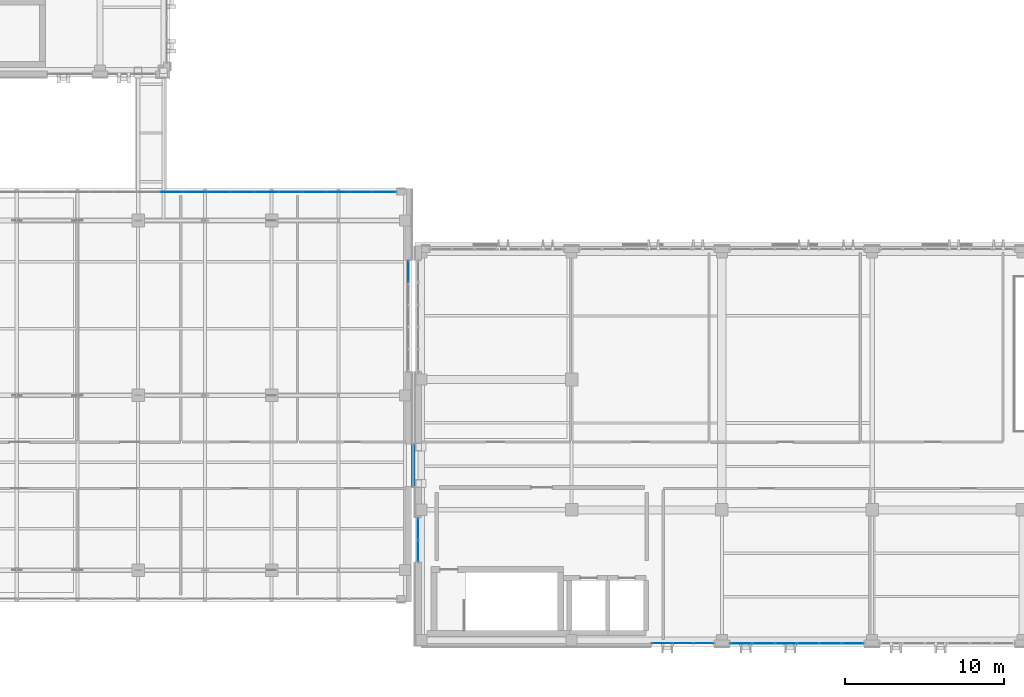
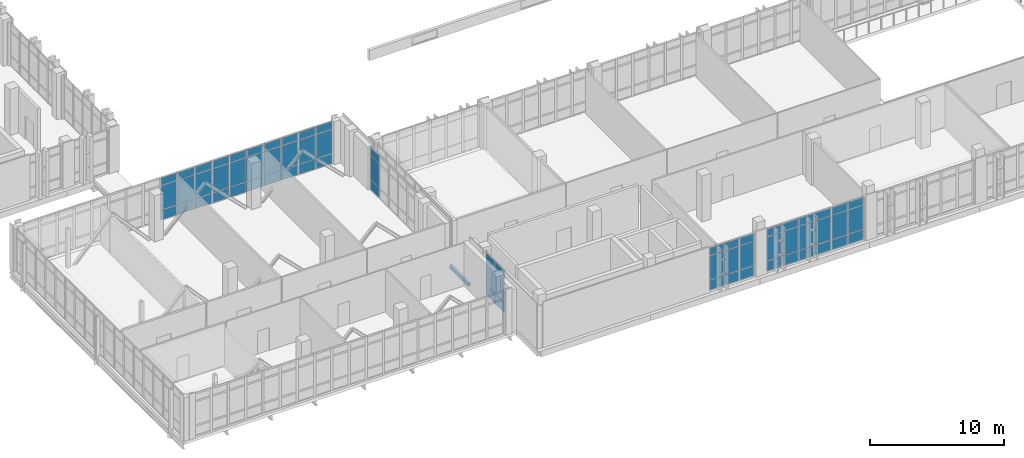
# One storey, part 112 of 158: 66 plates, 1 slab, 5 elements without a shape of their own.
"""IFC4 building model written with IfcOpenShell, lengths in metres."""

from ifc_helpers import new_model, si_unit, direction, frame, origin, origin_2d, place, context, subcontext, project, spatial, polyline, rectangle, outline, extrude, material, layer, layer_set, type_object, element, aggregate, save


model = new_model("IFC4")

# Units and contexts
model_context = context("Model", 3, precision=1e-05, world=origin(), true_north=direction((0.0, 1.0)))
body_context = subcontext(model_context, "Body", "Model", "MODEL_VIEW")
ifc_project = project(units=[si_unit("LENGTHUNIT", "METRE"), si_unit("AREAUNIT", "SQUARE_METRE"), si_unit("VOLUMEUNIT", "CUBIC_METRE"), si_unit("PLANEANGLEUNIT", "RADIAN"), si_unit("MASSUNIT", "GRAM", prefix="KILO")], contexts=[model_context])

# Site, building, storey
site_placement = place(None, origin())
site = spatial("IfcSite", under=ifc_project, at=site_placement, CompositionType="ELEMENT")
building_placement = place(site_placement, origin())
building = spatial("IfcBuilding", under=site, at=building_placement, Name="Qalavern Law Courts", CompositionType="ELEMENT")
storey_placement = place(building_placement, frame((0.0, 0.0, 18.60009765625)))
storey = spatial("IfcBuildingStorey", under=building, at=storey_placement, Name="L04", CompositionType="ELEMENT", Elevation=18.60009765625)

# Curtain wall, plates
ifc_material_1 = material(Name="Anodised aluminium and insulated glazing", Category="aluminium")
ifc_layer_1 = layer(ifc_material_1, 0.199951171875)
ifc_layer_set_1 = layer_set([ifc_layer_1], Name="Anodised aluminium and insulated glazing")
curtain_wall_type_1 = type_object("IfcCurtainWallType", Name="ENV-CW-FOYER", PredefinedType="USERDEFINED", material=ifc_layer_set_1)
curtain_wall_1_placement = place(storey_placement, origin())
curtain_wall_1 = element("IfcCurtainWall", 1, at=curtain_wall_1_placement, inside=storey, type_object=curtain_wall_type_1, Name="V1 unitised curtain wall L04 north 1", ObjectType="UNITISED CURTAIN WALL", PredefinedType="USERDEFINED")
ifc_material_2 = material(Name="Insulated low-E acoustic glazing", Category="glass")
ifc_layer_2 = layer(ifc_material_2, 0.02392578125)
ifc_layer_set_2 = layer_set([ifc_layer_2], Name="Insulated low-E acoustic glazing")
plate_type_1 = type_object("IfcPlateType", Name="ENV-CWP-24", PredefinedType="CURTAIN_PANEL", material=ifc_layer_set_2)
plate_1_placement = place(storey_placement, frame((32.299560546875, 33.800048828125, 0.0478515625), z_axis=(0.0, 0.0, 1.0), x_axis=(-1.0, 0.0, 0.0)))
plate_1 = element("IfcPlate", 2, at=plate_1_placement, type_object=plate_type_1, Name="CW-01 panel 1.1", PredefinedType="CURTAIN_PANEL", context=body_context, shape_type="SweptSolid", body=[
    extrude(rectangle(XDim=1.41455078125, YDim=0.02392578125, at=origin_2d()), origin(), (0.0, 0.0, 1.0), 0.8779296875),
])
plate_2_placement = place(storey_placement, frame((32.299560546875, 33.800048828125, 0.97412109375), z_axis=(0.0, 0.0, 1.0), x_axis=(-1.0, 0.0, 0.0)))
plate_2 = element("IfcPlate", 3, at=plate_2_placement, type_object=plate_type_1, Name="CW-01 panel 1.2", PredefinedType="CURTAIN_PANEL", context=body_context, shape_type="SweptSolid", body=[
    extrude(rectangle(XDim=1.41455078125, YDim=0.02392578125, at=origin_2d()), origin(), (0.0, 0.0, 1.0), 2.177001953125),
])
plate_3_placement = place(storey_placement, frame((32.299560546875, 33.800048828125, 3.19873046875), z_axis=(0.0, 0.0, 1.0), x_axis=(-1.0, 0.0, 0.0)))
plate_3 = element("IfcPlate", 4, at=plate_3_placement, type_object=plate_type_1, Name="CW-01 panel 1.3", PredefinedType="CURTAIN_PANEL", context=body_context, shape_type="SweptSolid", body=[
    extrude(rectangle(XDim=1.41455078125, YDim=0.02392578125, at=origin_2d()), origin(), (0.0, 0.0, 1.0), 0.677978515625),
])
plate_4_placement = place(storey_placement, frame((30.824951171875, 33.800048828125, 0.0478515625), z_axis=(0.0, 0.0, 1.0), x_axis=(-1.0, 0.0, 0.0)))
plate_4 = element("IfcPlate", 5, at=plate_4_placement, type_object=plate_type_1, Name="CW-01 panel 2.1", PredefinedType="CURTAIN_PANEL", context=body_context, shape_type="SweptSolid", body=[
    extrude(rectangle(XDim=1.438720703125, YDim=0.02392578125, at=origin_2d()), origin(), (0.0, 0.0, 1.0), 0.8779296875),
])
plate_5_placement = place(storey_placement, frame((30.824951171875, 33.800048828125, 0.97412109375), z_axis=(0.0, 0.0, 1.0), x_axis=(-1.0, 0.0, 0.0)))
plate_5 = element("IfcPlate", 6, at=plate_5_placement, type_object=plate_type_1, Name="CW-01 panel 2.2", PredefinedType="CURTAIN_PANEL", context=body_context, shape_type="SweptSolid", body=[
    extrude(rectangle(XDim=1.438720703125, YDim=0.02392578125, at=origin_2d()), origin(), (0.0, 0.0, 1.0), 2.177001953125),
])
plate_6_placement = place(storey_placement, frame((30.824951171875, 33.800048828125, 3.19873046875), z_axis=(0.0, 0.0, 1.0), x_axis=(-1.0, 0.0, 0.0)))
plate_6 = element("IfcPlate", 7, at=plate_6_placement, type_object=plate_type_1, Name="CW-01 panel 2.3", PredefinedType="CURTAIN_PANEL", context=body_context, shape_type="SweptSolid", body=[
    extrude(rectangle(XDim=1.438720703125, YDim=0.02392578125, at=origin_2d()), origin(), (0.0, 0.0, 1.0), 0.677978515625),
])
plate_7_placement = place(storey_placement, frame((29.33837890625, 33.800048828125, 0.0478515625), z_axis=(0.0, 0.0, 1.0), x_axis=(-1.0, 0.0, 0.0)))
plate_7 = element("IfcPlate", 8, at=plate_7_placement, type_object=plate_type_1, Name="CW-01 panel 3.1", PredefinedType="CURTAIN_PANEL", context=body_context, shape_type="SweptSolid", body=[
    extrude(rectangle(XDim=1.438720703125, YDim=0.02392578125, at=origin_2d()), origin(), (0.0, 0.0, 1.0), 0.8779296875),
])
plate_8_placement = place(storey_placement, frame((29.33837890625, 33.800048828125, 0.97412109375), z_axis=(0.0, 0.0, 1.0), x_axis=(-1.0, 0.0, 0.0)))
plate_8 = element("IfcPlate", 9, at=plate_8_placement, type_object=plate_type_1, Name="CW-01 panel 3.2", PredefinedType="CURTAIN_PANEL", context=body_context, shape_type="SweptSolid", body=[
    extrude(rectangle(XDim=1.438720703125, YDim=0.02392578125, at=origin_2d()), origin(), (0.0, 0.0, 1.0), 2.177001953125),
])
plate_9_placement = place(storey_placement, frame((29.33837890625, 33.800048828125, 3.19873046875), z_axis=(0.0, 0.0, 1.0), x_axis=(-1.0, 0.0, 0.0)))
plate_9 = element("IfcPlate", 10, at=plate_9_placement, type_object=plate_type_1, Name="CW-01 panel 3.3", PredefinedType="CURTAIN_PANEL", context=body_context, shape_type="SweptSolid", body=[
    extrude(rectangle(XDim=1.438720703125, YDim=0.02392578125, at=origin_2d()), origin(), (0.0, 0.0, 1.0), 0.677978515625),
])
plate_10_placement = place(storey_placement, frame((27.8515625, 33.800048828125, 0.0478515625), z_axis=(0.0, 0.0, 1.0), x_axis=(-1.0, 0.0, 0.0)))
plate_10 = element("IfcPlate", 11, at=plate_10_placement, type_object=plate_type_1, Name="CW-01 panel 4.1", PredefinedType="CURTAIN_PANEL", context=body_context, shape_type="SweptSolid", body=[
    extrude(rectangle(XDim=1.438720703125, YDim=0.02392578125, at=origin_2d()), origin(), (0.0, 0.0, 1.0), 0.8779296875),
])
plate_11_placement = place(storey_placement, frame((27.8515625, 33.800048828125, 0.97412109375), z_axis=(0.0, 0.0, 1.0), x_axis=(-1.0, 0.0, 0.0)))
plate_11 = element("IfcPlate", 12, at=plate_11_placement, type_object=plate_type_1, Name="CW-01 panel 4.2", PredefinedType="CURTAIN_PANEL", context=body_context, shape_type="SweptSolid", body=[
    extrude(rectangle(XDim=1.438720703125, YDim=0.02392578125, at=origin_2d()), origin(), (0.0, 0.0, 1.0), 2.177001953125),
])
plate_12_placement = place(storey_placement, frame((27.8515625, 33.800048828125, 3.19873046875), z_axis=(0.0, 0.0, 1.0), x_axis=(-1.0, 0.0, 0.0)))
plate_12 = element("IfcPlate", 13, at=plate_12_placement, type_object=plate_type_1, Name="CW-01 panel 4.3", PredefinedType="CURTAIN_PANEL", context=body_context, shape_type="SweptSolid", body=[
    extrude(rectangle(XDim=1.438720703125, YDim=0.02392578125, at=origin_2d()), origin(), (0.0, 0.0, 1.0), 0.677978515625),
])
plate_13_placement = place(storey_placement, frame((26.364990234375, 33.800048828125, 0.0478515625), z_axis=(0.0, 0.0, 1.0), x_axis=(-1.0, 0.0, 0.0)))
plate_13 = element("IfcPlate", 14, at=plate_13_placement, type_object=plate_type_1, Name="CW-01 panel 5.1", PredefinedType="CURTAIN_PANEL", context=body_context, shape_type="SweptSolid", body=[
    extrude(rectangle(XDim=1.438720703125, YDim=0.02392578125, at=origin_2d()), origin(), (0.0, 0.0, 1.0), 0.8779296875),
])
plate_14_placement = place(storey_placement, frame((26.364990234375, 33.800048828125, 0.97412109375), z_axis=(0.0, 0.0, 1.0), x_axis=(-1.0, 0.0, 0.0)))
plate_14 = element("IfcPlate", 15, at=plate_14_placement, type_object=plate_type_1, Name="CW-01 panel 5.2", PredefinedType="CURTAIN_PANEL", context=body_context, shape_type="SweptSolid", body=[
    extrude(rectangle(XDim=1.438720703125, YDim=0.02392578125, at=origin_2d()), origin(), (0.0, 0.0, 1.0), 2.177001953125),
])
plate_15_placement = place(storey_placement, frame((26.364990234375, 33.800048828125, 3.19873046875), z_axis=(0.0, 0.0, 1.0), x_axis=(-1.0, 0.0, 0.0)))
plate_15 = element("IfcPlate", 16, at=plate_15_placement, type_object=plate_type_1, Name="CW-01 panel 5.3", PredefinedType="CURTAIN_PANEL", context=body_context, shape_type="SweptSolid", body=[
    extrude(rectangle(XDim=1.438720703125, YDim=0.02392578125, at=origin_2d()), origin(), (0.0, 0.0, 1.0), 0.677978515625),
])
plate_16_placement = place(storey_placement, frame((24.87841796875, 33.800048828125, 0.0478515625), z_axis=(0.0, 0.0, 1.0), x_axis=(-1.0, 0.0, 0.0)))
plate_16 = element("IfcPlate", 17, at=plate_16_placement, type_object=plate_type_1, Name="CW-01 panel 6.1", PredefinedType="CURTAIN_PANEL", context=body_context, shape_type="SweptSolid", body=[
    extrude(rectangle(XDim=1.438720703125, YDim=0.02392578125, at=origin_2d()), origin(), (0.0, 0.0, 1.0), 0.8779296875),
])
plate_17_placement = place(storey_placement, frame((24.87841796875, 33.800048828125, 0.97412109375), z_axis=(0.0, 0.0, 1.0), x_axis=(-1.0, 0.0, 0.0)))
plate_17 = element("IfcPlate", 18, at=plate_17_placement, type_object=plate_type_1, Name="CW-01 panel 6.2", PredefinedType="CURTAIN_PANEL", context=body_context, shape_type="SweptSolid", body=[
    extrude(rectangle(XDim=1.438720703125, YDim=0.02392578125, at=origin_2d()), origin(), (0.0, 0.0, 1.0), 2.177001953125),
])
plate_18_placement = place(storey_placement, frame((24.87841796875, 33.800048828125, 3.19873046875), z_axis=(0.0, 0.0, 1.0), x_axis=(-1.0, 0.0, 0.0)))
plate_18 = element("IfcPlate", 19, at=plate_18_placement, type_object=plate_type_1, Name="CW-01 panel 6.3", PredefinedType="CURTAIN_PANEL", context=body_context, shape_type="SweptSolid", body=[
    extrude(rectangle(XDim=1.438720703125, YDim=0.02392578125, at=origin_2d()), origin(), (0.0, 0.0, 1.0), 0.677978515625),
])
plate_19_placement = place(storey_placement, frame((23.3916015625, 33.800048828125, 0.0478515625), z_axis=(0.0, 0.0, 1.0), x_axis=(-1.0, 0.0, 0.0)))
plate_19 = element("IfcPlate", 20, at=plate_19_placement, type_object=plate_type_1, Name="CW-01 panel 7.1", PredefinedType="CURTAIN_PANEL", context=body_context, shape_type="SweptSolid", body=[
    extrude(rectangle(XDim=1.438720703125, YDim=0.02392578125, at=origin_2d()), origin(), (0.0, 0.0, 1.0), 0.8779296875),
])
plate_20_placement = place(storey_placement, frame((23.3916015625, 33.800048828125, 0.97412109375), z_axis=(0.0, 0.0, 1.0), x_axis=(-1.0, 0.0, 0.0)))
plate_20 = element("IfcPlate", 21, at=plate_20_placement, type_object=plate_type_1, Name="CW-01 panel 7.2", PredefinedType="CURTAIN_PANEL", context=body_context, shape_type="SweptSolid", body=[
    extrude(rectangle(XDim=1.438720703125, YDim=0.02392578125, at=origin_2d()), origin(), (0.0, 0.0, 1.0), 2.177001953125),
])
plate_21_placement = place(storey_placement, frame((23.3916015625, 33.800048828125, 3.19873046875), z_axis=(0.0, 0.0, 1.0), x_axis=(-1.0, 0.0, 0.0)))
plate_21 = element("IfcPlate", 22, at=plate_21_placement, type_object=plate_type_1, Name="CW-01 panel 7.3", PredefinedType="CURTAIN_PANEL", context=body_context, shape_type="SweptSolid", body=[
    extrude(rectangle(XDim=1.438720703125, YDim=0.02392578125, at=origin_2d()), origin(), (0.0, 0.0, 1.0), 0.677978515625),
])
plate_22_placement = place(storey_placement, frame((21.905029296875, 33.800048828125, 0.0478515625), z_axis=(0.0, 0.0, 1.0), x_axis=(-1.0, 0.0, 0.0)))
plate_22 = element("IfcPlate", 23, at=plate_22_placement, type_object=plate_type_1, Name="CW-01 panel 8.1", PredefinedType="CURTAIN_PANEL", context=body_context, shape_type="SweptSolid", body=[
    extrude(rectangle(XDim=1.438720703125, YDim=0.02392578125, at=origin_2d()), origin(), (0.0, 0.0, 1.0), 0.8779296875),
])
plate_23_placement = place(storey_placement, frame((21.905029296875, 33.800048828125, 0.97412109375), z_axis=(0.0, 0.0, 1.0), x_axis=(-1.0, 0.0, 0.0)))
plate_23 = element("IfcPlate", 24, at=plate_23_placement, type_object=plate_type_1, Name="CW-01 panel 8.2", PredefinedType="CURTAIN_PANEL", context=body_context, shape_type="SweptSolid", body=[
    extrude(rectangle(XDim=1.438720703125, YDim=0.02392578125, at=origin_2d()), origin(), (0.0, 0.0, 1.0), 2.177001953125),
])
plate_24_placement = place(storey_placement, frame((21.905029296875, 33.800048828125, 3.19873046875), z_axis=(0.0, 0.0, 1.0), x_axis=(-1.0, 0.0, 0.0)))
plate_24 = element("IfcPlate", 25, at=plate_24_placement, type_object=plate_type_1, Name="CW-01 panel 8.3", PredefinedType="CURTAIN_PANEL", context=body_context, shape_type="SweptSolid", body=[
    extrude(rectangle(XDim=1.438720703125, YDim=0.02392578125, at=origin_2d()), origin(), (0.0, 0.0, 1.0), 0.677978515625),
])
plate_25_placement = place(storey_placement, frame((20.418212890625, 33.800048828125, 0.0478515625), z_axis=(0.0, 0.0, 1.0), x_axis=(-1.0, 0.0, 0.0)))
plate_25 = element("IfcPlate", 26, at=plate_25_placement, type_object=plate_type_1, Name="CW-01 panel 9.1", PredefinedType="CURTAIN_PANEL", context=body_context, shape_type="SweptSolid", body=[
    extrude(rectangle(XDim=1.438720703125, YDim=0.02392578125, at=origin_2d()), origin(), (0.0, 0.0, 1.0), 0.8779296875),
])
plate_26_placement = place(storey_placement, frame((20.418212890625, 33.800048828125, 0.97412109375), z_axis=(0.0, 0.0, 1.0), x_axis=(-1.0, 0.0, 0.0)))
plate_26 = element("IfcPlate", 27, at=plate_26_placement, type_object=plate_type_1, Name="CW-01 panel 9.2", PredefinedType="CURTAIN_PANEL", context=body_context, shape_type="SweptSolid", body=[
    extrude(rectangle(XDim=1.438720703125, YDim=0.02392578125, at=origin_2d()), origin(), (0.0, 0.0, 1.0), 2.177001953125),
])
plate_27_placement = place(storey_placement, frame((20.418212890625, 33.800048828125, 3.19873046875), z_axis=(0.0, 0.0, 1.0), x_axis=(-1.0, 0.0, 0.0)))
plate_27 = element("IfcPlate", 28, at=plate_27_placement, type_object=plate_type_1, Name="CW-01 panel 9.3", PredefinedType="CURTAIN_PANEL", context=body_context, shape_type="SweptSolid", body=[
    extrude(rectangle(XDim=1.438720703125, YDim=0.02392578125, at=origin_2d()), origin(), (0.0, 0.0, 1.0), 0.677978515625),
])
plate_28_placement = place(storey_placement, frame((18.931640625, 33.800048828125, 0.0478515625), z_axis=(0.0, 0.0, 1.0), x_axis=(-1.0, 0.0, 0.0)))
plate_28 = element("IfcPlate", 29, at=plate_28_placement, type_object=plate_type_1, Name="CW-01 panel 10.1", PredefinedType="CURTAIN_PANEL", context=body_context, shape_type="SweptSolid", body=[
    extrude(rectangle(XDim=1.438720703125, YDim=0.02392578125, at=origin_2d()), origin(), (0.0, 0.0, 1.0), 0.8779296875),
])
plate_29_placement = place(storey_placement, frame((18.931640625, 33.800048828125, 0.97412109375), z_axis=(0.0, 0.0, 1.0), x_axis=(-1.0, 0.0, 0.0)))
plate_29 = element("IfcPlate", 30, at=plate_29_placement, type_object=plate_type_1, Name="CW-01 panel 10.2", PredefinedType="CURTAIN_PANEL", context=body_context, shape_type="SweptSolid", body=[
    extrude(rectangle(XDim=1.438720703125, YDim=0.02392578125, at=origin_2d()), origin(), (0.0, 0.0, 1.0), 2.177001953125),
])
plate_30_placement = place(storey_placement, frame((18.931640625, 33.800048828125, 3.19873046875), z_axis=(0.0, 0.0, 1.0), x_axis=(-1.0, 0.0, 0.0)))
plate_30 = element("IfcPlate", 31, at=plate_30_placement, type_object=plate_type_1, Name="CW-01 panel 10.3", PredefinedType="CURTAIN_PANEL", context=body_context, shape_type="SweptSolid", body=[
    extrude(rectangle(XDim=1.438720703125, YDim=0.02392578125, at=origin_2d()), origin(), (0.0, 0.0, 1.0), 0.677978515625),
])
aggregate(curtain_wall_1, [plate_1, plate_2, plate_3, plate_4, plate_5, plate_6, plate_7, plate_8, plate_9, plate_10, plate_11, plate_12, plate_13, plate_14, plate_15, plate_16, plate_17, plate_18, plate_19, plate_20, plate_21, plate_22, plate_23, plate_24, plate_25, plate_26, plate_27, plate_28, plate_29, plate_30])

ifc_layer_3 = layer(ifc_material_1, 0.18505859375)
ifc_layer_set_3 = layer_set([ifc_layer_3], Name="Anodised aluminium and insulated glazing")
curtain_wall_type_2 = type_object("IfcCurtainWallType", Name="ENV-CW-HALL", PredefinedType="USERDEFINED", material=ifc_layer_set_3)
curtain_wall_2_placement = place(storey_placement, origin())
curtain_wall_2 = element("IfcCurtainWall", 32, at=curtain_wall_2_placement, inside=storey, type_object=curtain_wall_type_2, Name="V2 unitised curtain wall L04 south 1", ObjectType="UNITISED CURTAIN WALL", PredefinedType="USERDEFINED")
plate_31_placement = place(storey_placement, frame((49.766845703125, 5.39990234375, 0.0478515625), z_axis=(0.0, 0.0, 1.0), x_axis=(1.0, 0.0, 0.0)))
plate_31 = element("IfcPlate", 33, at=plate_31_placement, type_object=plate_type_1, Name="CW-02 panel 1.1", PredefinedType="CURTAIN_PANEL", context=body_context, shape_type="SweptSolid", body=[
    extrude(rectangle(XDim=1.237548828125, YDim=0.02392578125, at=origin_2d()), origin(), (0.0, 0.0, 1.0), 0.8779296875),
])
plate_32_placement = place(storey_placement, frame((49.766845703125, 5.39990234375, 0.97412109375), z_axis=(0.0, 0.0, 1.0), x_axis=(1.0, 0.0, 0.0)))
plate_32 = element("IfcPlate", 34, at=plate_32_placement, type_object=plate_type_1, Name="CW-02 panel 1.2", PredefinedType="CURTAIN_PANEL", context=body_context, shape_type="SweptSolid", body=[
    extrude(rectangle(XDim=1.237548828125, YDim=0.02392578125, at=origin_2d()), origin(), (0.0, 0.0, 1.0), 2.177001953125),
])
plate_33_placement = place(storey_placement, frame((49.766845703125, 5.39990234375, 3.19873046875), z_axis=(0.0, 0.0, 1.0), x_axis=(1.0, 0.0, 0.0)))
plate_33 = element("IfcPlate", 35, at=plate_33_placement, type_object=plate_type_1, Name="CW-02 panel 1.3", PredefinedType="CURTAIN_PANEL", context=body_context, shape_type="SweptSolid", body=[
    extrude(rectangle(XDim=1.237548828125, YDim=0.02392578125, at=origin_2d()), origin(), (0.0, 0.0, 1.0), 0.677978515625),
])
plate_34_placement = place(storey_placement, frame((51.064208984375, 5.39990234375, 0.0478515625), z_axis=(0.0, 0.0, 1.0), x_axis=(1.0, 0.0, 0.0)))
plate_34 = element("IfcPlate", 36, at=plate_34_placement, type_object=plate_type_1, Name="CW-02 panel 2.1", PredefinedType="CURTAIN_PANEL", context=body_context, shape_type="SweptSolid", body=[
    extrude(rectangle(XDim=1.261474609375, YDim=0.02392578125, at=origin_2d()), origin(), (0.0, 0.0, 1.0), 0.8779296875),
])
plate_35_placement = place(storey_placement, frame((51.064208984375, 5.39990234375, 0.97412109375), z_axis=(0.0, 0.0, 1.0), x_axis=(1.0, 0.0, 0.0)))
plate_35 = element("IfcPlate", 37, at=plate_35_placement, type_object=plate_type_1, Name="CW-02 panel 2.2", PredefinedType="CURTAIN_PANEL", context=body_context, shape_type="SweptSolid", body=[
    extrude(rectangle(XDim=1.261474609375, YDim=0.02392578125, at=origin_2d()), origin(), (0.0, 0.0, 1.0), 2.177001953125),
])
plate_36_placement = place(storey_placement, frame((51.064208984375, 5.39990234375, 3.19873046875), z_axis=(0.0, 0.0, 1.0), x_axis=(1.0, 0.0, 0.0)))
plate_36 = element("IfcPlate", 38, at=plate_36_placement, type_object=plate_type_1, Name="CW-02 panel 2.3", PredefinedType="CURTAIN_PANEL", context=body_context, shape_type="SweptSolid", body=[
    extrude(rectangle(XDim=1.261474609375, YDim=0.02392578125, at=origin_2d()), origin(), (0.0, 0.0, 1.0), 0.677978515625),
])
plate_37_placement = place(storey_placement, frame((52.36181640625, 5.39990234375, 0.0478515625), z_axis=(0.0, 0.0, 1.0), x_axis=(1.0, 0.0, 0.0)))
plate_37 = element("IfcPlate", 39, at=plate_37_placement, type_object=plate_type_1, Name="CW-02 panel 3.1", PredefinedType="CURTAIN_PANEL", context=body_context, shape_type="SweptSolid", body=[
    extrude(rectangle(XDim=1.237548828125, YDim=0.02392578125, at=origin_2d()), origin(), (0.0, 0.0, 1.0), 0.8779296875),
])
plate_38_placement = place(storey_placement, frame((52.36181640625, 5.39990234375, 0.97412109375), z_axis=(0.0, 0.0, 1.0), x_axis=(1.0, 0.0, 0.0)))
plate_38 = element("IfcPlate", 40, at=plate_38_placement, type_object=plate_type_1, Name="CW-02 panel 3.2", PredefinedType="CURTAIN_PANEL", context=body_context, shape_type="SweptSolid", body=[
    extrude(rectangle(XDim=1.237548828125, YDim=0.02392578125, at=origin_2d()), origin(), (0.0, 0.0, 1.0), 2.177001953125),
])
plate_39_placement = place(storey_placement, frame((52.36181640625, 5.39990234375, 3.19873046875), z_axis=(0.0, 0.0, 1.0), x_axis=(1.0, 0.0, 0.0)))
plate_39 = element("IfcPlate", 41, at=plate_39_placement, type_object=plate_type_1, Name="CW-02 panel 3.3", PredefinedType="CURTAIN_PANEL", context=body_context, shape_type="SweptSolid", body=[
    extrude(rectangle(XDim=1.237548828125, YDim=0.02392578125, at=origin_2d()), origin(), (0.0, 0.0, 1.0), 0.677978515625),
])
aggregate(curtain_wall_2, [plate_31, plate_32, plate_33, plate_34, plate_35, plate_36, plate_37, plate_38, plate_39])

curtain_wall_3_placement = place(storey_placement, origin())
curtain_wall_3 = element("IfcCurtainWall", 42, at=curtain_wall_3_placement, inside=storey, type_object=curtain_wall_type_1, Name="V1 unitised curtain wall L04 east 1", ObjectType="UNITISED CURTAIN WALL", PredefinedType="USERDEFINED")
ifc_layer_4 = layer(ifc_material_2, 0.028076171875)
ifc_layer_set_4 = layer_set([ifc_layer_4], Name="Insulated low-E acoustic glazing")
plate_type_2 = type_object("IfcPlateType", Name="ENV-CWP-28", PredefinedType="CURTAIN_PANEL", material=ifc_layer_set_4)
plate_40_placement = place(storey_placement, frame((33.800048828125, 28.7880859375, 0.0478515625), z_axis=(0.0, 0.0, 1.0), x_axis=(0.0, 1.0, 0.0)))
plate_40 = element("IfcPlate", 43, at=plate_40_placement, type_object=plate_type_2, Name="CW-01 panel 5.1", PredefinedType="CURTAIN_PANEL", context=body_context, shape_type="SweptSolid", body=[
    extrude(rectangle(XDim=1.327880859375, YDim=0.028076171875, at=origin_2d()), origin(), (0.0, 0.0, 1.0), 0.8779296875),
])
plate_41_placement = place(storey_placement, frame((33.800048828125, 28.7880859375, 0.97412109375), z_axis=(0.0, 0.0, 1.0), x_axis=(0.0, 1.0, 0.0)))
plate_41 = element("IfcPlate", 44, at=plate_41_placement, type_object=plate_type_2, Name="CW-01 panel 5.2", PredefinedType="CURTAIN_PANEL", context=body_context, shape_type="SweptSolid", body=[
    extrude(rectangle(XDim=1.327880859375, YDim=0.028076171875, at=origin_2d()), origin(), (0.0, 0.0, 1.0), 2.177001953125),
])
plate_42_placement = place(storey_placement, frame((33.800048828125, 28.7880859375, 3.19873046875), z_axis=(0.0, 0.0, 1.0), x_axis=(0.0, 1.0, 0.0)))
plate_42 = element("IfcPlate", 45, at=plate_42_placement, type_object=plate_type_2, Name="CW-01 panel 5.3", PredefinedType="CURTAIN_PANEL", context=body_context, shape_type="SweptSolid", body=[
    extrude(rectangle(XDim=1.327880859375, YDim=0.028076171875, at=origin_2d()), origin(), (0.0, 0.0, 1.0), 0.677978515625),
])
aggregate(curtain_wall_3, [plate_40, plate_41, plate_42])

curtain_wall_4_placement = place(storey_placement, origin())
curtain_wall_4 = element("IfcCurtainWall", 46, at=curtain_wall_4_placement, inside=storey, type_object=curtain_wall_type_2, Name="V2 unitised curtain wall L04 south 2", ObjectType="UNITISED CURTAIN WALL", PredefinedType="USERDEFINED")
plate_43_placement = place(storey_placement, frame((54.7451171875, 5.39990234375, 0.0478515625), z_axis=(0.0, 0.0, 1.0), x_axis=(1.0, 0.0, 0.0)))
plate_43 = element("IfcPlate", 47, at=plate_43_placement, type_object=plate_type_2, Name="CW-02 panel 1.1", PredefinedType="CURTAIN_PANEL", context=body_context, shape_type="SweptSolid", body=[
    extrude(rectangle(XDim=1.337158203125, YDim=0.028076171875, at=origin_2d()), origin(), (0.0, 0.0, 1.0), 0.8779296875),
])
plate_44_placement = place(storey_placement, frame((54.7451171875, 5.39990234375, 0.97412109375), z_axis=(0.0, 0.0, 1.0), x_axis=(1.0, 0.0, 0.0)))
plate_44 = element("IfcPlate", 48, at=plate_44_placement, type_object=plate_type_2, Name="CW-02 panel 1.2", PredefinedType="CURTAIN_PANEL", context=body_context, shape_type="SweptSolid", body=[
    extrude(rectangle(XDim=1.337158203125, YDim=0.028076171875, at=origin_2d()), origin(), (0.0, 0.0, 1.0), 2.177001953125),
])
plate_45_placement = place(storey_placement, frame((54.7451171875, 5.39990234375, 3.19873046875), z_axis=(0.0, 0.0, 1.0), x_axis=(1.0, 0.0, 0.0)))
plate_45 = element("IfcPlate", 49, at=plate_45_placement, type_object=plate_type_2, Name="CW-02 panel 1.3", PredefinedType="CURTAIN_PANEL", context=body_context, shape_type="SweptSolid", body=[
    extrude(rectangle(XDim=1.337158203125, YDim=0.028076171875, at=origin_2d()), origin(), (0.0, 0.0, 1.0), 0.677978515625),
])
plate_46_placement = place(storey_placement, frame((56.14208984375, 5.39990234375, 0.0478515625), z_axis=(0.0, 0.0, 1.0), x_axis=(1.0, 0.0, 0.0)))
plate_46 = element("IfcPlate", 50, at=plate_46_placement, type_object=plate_type_2, Name="CW-02 panel 2.1", PredefinedType="CURTAIN_PANEL", context=body_context, shape_type="SweptSolid", body=[
    extrude(rectangle(XDim=1.361083984375, YDim=0.028076171875, at=origin_2d()), origin(), (0.0, 0.0, 1.0), 0.8779296875),
])
plate_47_placement = place(storey_placement, frame((56.14208984375, 5.39990234375, 0.97412109375), z_axis=(0.0, 0.0, 1.0), x_axis=(1.0, 0.0, 0.0)))
plate_47 = element("IfcPlate", 51, at=plate_47_placement, type_object=plate_type_2, Name="CW-02 panel 2.2", PredefinedType="CURTAIN_PANEL", context=body_context, shape_type="SweptSolid", body=[
    extrude(rectangle(XDim=1.361083984375, YDim=0.028076171875, at=origin_2d()), origin(), (0.0, 0.0, 1.0), 2.177001953125),
])
plate_48_placement = place(storey_placement, frame((56.14208984375, 5.39990234375, 3.19873046875), z_axis=(0.0, 0.0, 1.0), x_axis=(1.0, 0.0, 0.0)))
plate_48 = element("IfcPlate", 52, at=plate_48_placement, type_object=plate_type_2, Name="CW-02 panel 2.3", PredefinedType="CURTAIN_PANEL", context=body_context, shape_type="SweptSolid", body=[
    extrude(rectangle(XDim=1.361083984375, YDim=0.028076171875, at=origin_2d()), origin(), (0.0, 0.0, 1.0), 0.677978515625),
])
plate_49_placement = place(storey_placement, frame((57.55126953125, 5.39990234375, 0.0478515625), z_axis=(0.0, 0.0, 1.0), x_axis=(1.0, 0.0, 0.0)))
plate_49 = element("IfcPlate", 53, at=plate_49_placement, type_object=plate_type_2, Name="CW-02 panel 3.1", PredefinedType="CURTAIN_PANEL", context=body_context, shape_type="SweptSolid", body=[
    extrude(rectangle(XDim=1.361083984375, YDim=0.028076171875, at=origin_2d()), origin(), (0.0, 0.0, 1.0), 0.8779296875),
])
plate_50_placement = place(storey_placement, frame((57.55126953125, 5.39990234375, 0.97412109375), z_axis=(0.0, 0.0, 1.0), x_axis=(1.0, 0.0, 0.0)))
plate_50 = element("IfcPlate", 54, at=plate_50_placement, type_object=plate_type_2, Name="CW-02 panel 3.2", PredefinedType="CURTAIN_PANEL", context=body_context, shape_type="SweptSolid", body=[
    extrude(rectangle(XDim=1.361083984375, YDim=0.028076171875, at=origin_2d()), origin(), (0.0, 0.0, 1.0), 2.177001953125),
])
plate_51_placement = place(storey_placement, frame((57.55126953125, 5.39990234375, 3.19873046875), z_axis=(0.0, 0.0, 1.0), x_axis=(1.0, 0.0, 0.0)))
plate_51 = element("IfcPlate", 55, at=plate_51_placement, type_object=plate_type_2, Name="CW-02 panel 3.3", PredefinedType="CURTAIN_PANEL", context=body_context, shape_type="SweptSolid", body=[
    extrude(rectangle(XDim=1.361083984375, YDim=0.028076171875, at=origin_2d()), origin(), (0.0, 0.0, 1.0), 0.677978515625),
])
plate_52_placement = place(storey_placement, frame((58.960205078125, 5.39990234375, 0.0478515625), z_axis=(0.0, 0.0, 1.0), x_axis=(1.0, 0.0, 0.0)))
plate_52 = element("IfcPlate", 56, at=plate_52_placement, type_object=plate_type_2, Name="CW-02 panel 4.1", PredefinedType="CURTAIN_PANEL", context=body_context, shape_type="SweptSolid", body=[
    extrude(rectangle(XDim=1.361083984375, YDim=0.028076171875, at=origin_2d()), origin(), (0.0, 0.0, 1.0), 0.8779296875),
])
plate_53_placement = place(storey_placement, frame((58.960205078125, 5.39990234375, 0.97412109375), z_axis=(0.0, 0.0, 1.0), x_axis=(1.0, 0.0, 0.0)))
plate_53 = element("IfcPlate", 57, at=plate_53_placement, type_object=plate_type_2, Name="CW-02 panel 4.2", PredefinedType="CURTAIN_PANEL", context=body_context, shape_type="SweptSolid", body=[
    extrude(rectangle(XDim=1.361083984375, YDim=0.028076171875, at=origin_2d()), origin(), (0.0, 0.0, 1.0), 2.177001953125),
])
plate_54_placement = place(storey_placement, frame((58.960205078125, 5.39990234375, 3.19873046875), z_axis=(0.0, 0.0, 1.0), x_axis=(1.0, 0.0, 0.0)))
plate_54 = element("IfcPlate", 58, at=plate_54_placement, type_object=plate_type_2, Name="CW-02 panel 4.3", PredefinedType="CURTAIN_PANEL", context=body_context, shape_type="SweptSolid", body=[
    extrude(rectangle(XDim=1.361083984375, YDim=0.028076171875, at=origin_2d()), origin(), (0.0, 0.0, 1.0), 0.677978515625),
])
plate_55_placement = place(storey_placement, frame((60.369384765625, 5.39990234375, 0.0478515625), z_axis=(0.0, 0.0, 1.0), x_axis=(1.0, 0.0, 0.0)))
plate_55 = element("IfcPlate", 59, at=plate_55_placement, type_object=plate_type_2, Name="CW-02 panel 5.1", PredefinedType="CURTAIN_PANEL", context=body_context, shape_type="SweptSolid", body=[
    extrude(rectangle(XDim=1.361083984375, YDim=0.028076171875, at=origin_2d()), origin(), (0.0, 0.0, 1.0), 0.8779296875),
])
plate_56_placement = place(storey_placement, frame((60.369384765625, 5.39990234375, 0.97412109375), z_axis=(0.0, 0.0, 1.0), x_axis=(1.0, 0.0, 0.0)))
plate_56 = element("IfcPlate", 60, at=plate_56_placement, type_object=plate_type_2, Name="CW-02 panel 5.2", PredefinedType="CURTAIN_PANEL", context=body_context, shape_type="SweptSolid", body=[
    extrude(rectangle(XDim=1.361083984375, YDim=0.028076171875, at=origin_2d()), origin(), (0.0, 0.0, 1.0), 2.177001953125),
])
plate_57_placement = place(storey_placement, frame((60.369384765625, 5.39990234375, 3.19873046875), z_axis=(0.0, 0.0, 1.0), x_axis=(1.0, 0.0, 0.0)))
plate_57 = element("IfcPlate", 61, at=plate_57_placement, type_object=plate_type_2, Name="CW-02 panel 5.3", PredefinedType="CURTAIN_PANEL", context=body_context, shape_type="SweptSolid", body=[
    extrude(rectangle(XDim=1.361083984375, YDim=0.028076171875, at=origin_2d()), origin(), (0.0, 0.0, 1.0), 0.677978515625),
])
plate_58_placement = place(storey_placement, frame((61.766357421875, 5.39990234375, 0.0478515625), z_axis=(0.0, 0.0, 1.0), x_axis=(1.0, 0.0, 0.0)))
plate_58 = element("IfcPlate", 62, at=plate_58_placement, type_object=plate_type_2, Name="CW-02 panel 6.1", PredefinedType="CURTAIN_PANEL", context=body_context, shape_type="SweptSolid", body=[
    extrude(rectangle(XDim=1.337158203125, YDim=0.028076171875, at=origin_2d()), origin(), (0.0, 0.0, 1.0), 0.8779296875),
])
plate_59_placement = place(storey_placement, frame((61.766357421875, 5.39990234375, 0.97412109375), z_axis=(0.0, 0.0, 1.0), x_axis=(1.0, 0.0, 0.0)))
plate_59 = element("IfcPlate", 63, at=plate_59_placement, type_object=plate_type_2, Name="CW-02 panel 6.2", PredefinedType="CURTAIN_PANEL", context=body_context, shape_type="SweptSolid", body=[
    extrude(rectangle(XDim=1.337158203125, YDim=0.028076171875, at=origin_2d()), origin(), (0.0, 0.0, 1.0), 2.177001953125),
])
plate_60_placement = place(storey_placement, frame((61.766357421875, 5.39990234375, 3.19873046875), z_axis=(0.0, 0.0, 1.0), x_axis=(1.0, 0.0, 0.0)))
plate_60 = element("IfcPlate", 64, at=plate_60_placement, type_object=plate_type_2, Name="CW-02 panel 6.3", PredefinedType="CURTAIN_PANEL", context=body_context, shape_type="SweptSolid", body=[
    extrude(rectangle(XDim=1.337158203125, YDim=0.028076171875, at=origin_2d()), origin(), (0.0, 0.0, 1.0), 0.677978515625),
])
aggregate(curtain_wall_4, [plate_43, plate_44, plate_45, plate_46, plate_47, plate_48, plate_49, plate_50, plate_51, plate_52, plate_53, plate_54, plate_55, plate_56, plate_57, plate_58, plate_59, plate_60])

curtain_wall_5_placement = place(storey_placement, origin())
curtain_wall_5 = element("IfcCurtainWall", 65, at=curtain_wall_5_placement, inside=storey, type_object=curtain_wall_type_2, Name="V2 unitised curtain wall L04 west 1", ObjectType="UNITISED CURTAIN WALL", PredefinedType="USERDEFINED")
plate_61_placement = place(storey_placement, frame((34.419921875, 12.587890625, 0.0478515625), z_axis=(0.0, 0.0, 1.0), x_axis=(0.0, -1.0, 0.0)))
plate_61 = element("IfcPlate", 66, at=plate_61_placement, type_object=plate_type_2, Name="CW-02 panel 1.1", PredefinedType="CURTAIN_PANEL", context=body_context, shape_type="SweptSolid", body=[
    extrude(rectangle(XDim=1.327880859375, YDim=0.028076171875, at=origin_2d()), origin(), (0.0, 0.0, 1.0), 0.8779296875),
])
plate_62_placement = place(storey_placement, frame((34.419921875, 12.587890625, 0.97412109375), z_axis=(0.0, 0.0, 1.0), x_axis=(0.0, -1.0, 0.0)))
plate_62 = element("IfcPlate", 67, at=plate_62_placement, type_object=plate_type_2, Name="CW-02 panel 1.2", PredefinedType="CURTAIN_PANEL", context=body_context, shape_type="SweptSolid", body=[
    extrude(rectangle(XDim=1.327880859375, YDim=0.028076171875, at=origin_2d()), origin(), (0.0, 0.0, 1.0), 2.177001953125),
])
plate_63_placement = place(storey_placement, frame((34.419921875, 12.587890625, 3.19873046875), z_axis=(0.0, 0.0, 1.0), x_axis=(0.0, -1.0, 0.0)))
plate_63 = element("IfcPlate", 68, at=plate_63_placement, type_object=plate_type_2, Name="CW-02 panel 1.3", PredefinedType="CURTAIN_PANEL", context=body_context, shape_type="SweptSolid", body=[
    extrude(rectangle(XDim=1.327880859375, YDim=0.028076171875, at=origin_2d()), origin(), (0.0, 0.0, 1.0), 0.677978515625),
])
plate_64_placement = place(storey_placement, frame((34.419921875, 11.2119140625, 0.0478515625), z_axis=(0.0, 0.0, 1.0), x_axis=(0.0, -1.0, 0.0)))
plate_64 = element("IfcPlate", 69, at=plate_64_placement, type_object=plate_type_2, Name="CW-02 panel 2.1", PredefinedType="CURTAIN_PANEL", context=body_context, shape_type="SweptSolid", body=[
    extrude(rectangle(XDim=1.327880859375, YDim=0.028076171875, at=origin_2d()), origin(), (0.0, 0.0, 1.0), 0.8779296875),
])
plate_65_placement = place(storey_placement, frame((34.419921875, 11.2119140625, 0.97412109375), z_axis=(0.0, 0.0, 1.0), x_axis=(0.0, -1.0, 0.0)))
plate_65 = element("IfcPlate", 70, at=plate_65_placement, type_object=plate_type_2, Name="CW-02 panel 2.2", PredefinedType="CURTAIN_PANEL", context=body_context, shape_type="SweptSolid", body=[
    extrude(rectangle(XDim=1.327880859375, YDim=0.028076171875, at=origin_2d()), origin(), (0.0, 0.0, 1.0), 2.177001953125),
])
plate_66_placement = place(storey_placement, frame((34.419921875, 11.2119140625, 3.19873046875), z_axis=(0.0, 0.0, 1.0), x_axis=(0.0, -1.0, 0.0)))
plate_66 = element("IfcPlate", 71, at=plate_66_placement, type_object=plate_type_2, Name="CW-02 panel 2.3", PredefinedType="CURTAIN_PANEL", context=body_context, shape_type="SweptSolid", body=[
    extrude(rectangle(XDim=1.327880859375, YDim=0.028076171875, at=origin_2d()), origin(), (0.0, 0.0, 1.0), 0.677978515625),
])
aggregate(curtain_wall_5, [plate_61, plate_62, plate_63, plate_64, plate_65, plate_66])

# Slab
ifc_material_3 = material(Name="Concrete C35/45", Category="concrete")
ifc_layer_5 = layer(ifc_material_3, 0.280029296875)
ifc_layer_set_5 = layer_set([ifc_layer_5], Name="Concrete C35/45")
slab_type = type_object("IfcSlabType", Name="STR-SLB-L04-280", PredefinedType="FLOOR", material=ifc_layer_set_5)
slab_placement = place(storey_placement, frame((0.0, 0.0, -0.280029296875)))
element("IfcSlab", 72, at=slab_placement, inside=storey, type_object=slab_type, Name="Bridge BR-V1-V2 deck slab L04", PredefinedType="FLOOR", context=body_context, shape_type="SweptSolid", body=[
    extrude(outline(polyline([(34.0, 15.199951171875), (34.219970703125, 15.199951171875), (34.219970703125, 18.0), (34.0, 18.0), (34.0, 15.199951171875)])), origin(), (0.0, 0.0, 1.0), 0.280029296875),
])

save(model, "model.ifc")
